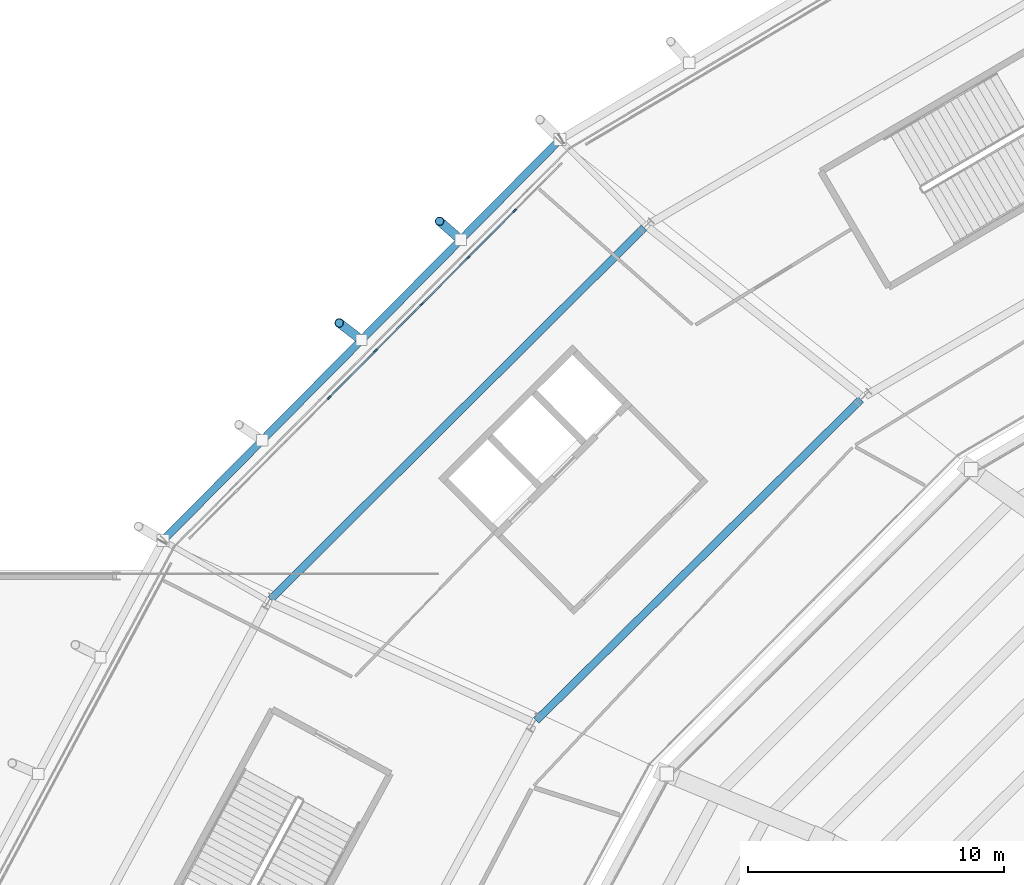
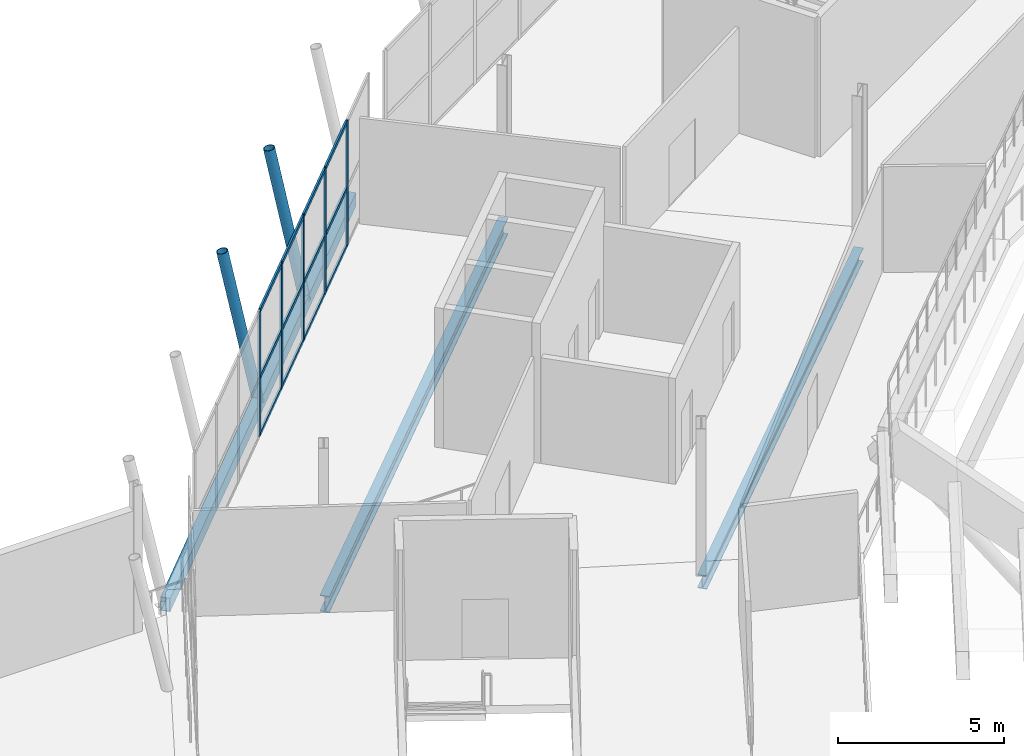
# One storey, part 33 of 126: 19 members, 3 beams, 1 element without a shape of its own.
"""IFC4 building model written with IfcOpenShell, lengths in metres."""

from ifc_helpers import new_model, si_unit, direction, frame, origin, origin_2d, place, context, subcontext, project, spatial, rectangle, hollow_rectangle, hollow_circle, i_section, extrude, material, material_profile, profile_set, type_object, element, aggregate, save


model = new_model("IFC4")

# Units and contexts
model_context = context("Model", 3, precision=1e-05, world=origin(), true_north=direction((0.0, 1.0)))
body_context = subcontext(model_context, "Body", "Model", "MODEL_VIEW")
ifc_project = project(units=[si_unit("LENGTHUNIT", "METRE"), si_unit("AREAUNIT", "SQUARE_METRE"), si_unit("VOLUMEUNIT", "CUBIC_METRE"), si_unit("PLANEANGLEUNIT", "RADIAN"), si_unit("MASSUNIT", "GRAM", prefix="KILO")], contexts=[model_context])

# Site, building, storey
site_placement = place(None, origin())
site = spatial("IfcSite", under=ifc_project, at=site_placement, CompositionType="ELEMENT")
building_placement = place(site_placement, origin())
building = spatial("IfcBuilding", under=site, at=building_placement, Name="Zlatoyarsky Gate Stadium", CompositionType="ELEMENT")
storey_placement = place(building_placement, frame((0.0, 0.0, 20.800048828125)))
storey = spatial("IfcBuildingStorey", under=building, at=storey_placement, Name="L04", CompositionType="ELEMENT", Elevation=20.800048828125)

# Curtain wall, members
ifc_material_1 = material(Name="Thermally broken anodised aluminium curtain wall", Category="aluminium")
curtain_wall_type = type_object("IfcCurtainWallType", Name="UNITISED MEDIA RING GLAZING L04", PredefinedType="USERDEFINED", material=ifc_material_1)
curtain_wall_placement = place(storey_placement, origin())
curtain_wall = element("IfcCurtainWall", 1, at=curtain_wall_placement, inside=storey, type_object=curtain_wall_type, Name="Curtain wall CW-L04-09", ObjectType="UNITISED GLAZING", PredefinedType="USERDEFINED")
ifc_material_2 = material(Name="Anodised aluminium 6063-T6", Category="aluminium")
ifc_material_profile_1 = material_profile(ifc_material_2, rectangle(XDim=0.06494140625, YDim=0.159912109375, at=origin_2d()), Name="ALU 65X160")
ifc_profile_set_1 = profile_set([ifc_material_profile_1], Name="Anodised aluminium 6063-T6")
member_type_1 = type_object("IfcMemberType", Name="ALUMINIUM MULLION 65X160", PredefinedType="MULLION", material=ifc_profile_set_1)
member_1_placement = place(storey_placement, frame((40.08984375, 130.792724609375, 0.0), z_axis=(0.0, 0.0, 1.0), x_axis=(0.709870536386, -0.704332181269, 0.0)))
member_1 = element("IfcMember", 2, at=member_1_placement, type_object=member_type_1, Name="CW-UG4 mullion 2", PredefinedType="MULLION", context=body_context, shape_type="SweptSolid", body=[
    extrude(rectangle(XDim=0.06494140625, YDim=0.159912109375, at=origin_2d()), origin(), (0.0, 0.0, 1.0), 4.619873046875),
])
member_2_placement = place(storey_placement, frame((38.27587890625, 128.964599609375, 0.0), z_axis=(0.0, 0.0, 1.0), x_axis=(0.709870536386, -0.704332181269, 0.0)))
member_2 = element("IfcMember", 3, at=member_2_placement, type_object=member_type_1, Name="CW-UG4 mullion 3", PredefinedType="MULLION", context=body_context, shape_type="SweptSolid", body=[
    extrude(rectangle(XDim=0.06494140625, YDim=0.159912109375, at=origin_2d()), origin(), (0.0, 0.0, 1.0), 4.619873046875),
])
member_3_placement = place(storey_placement, frame((36.462158203125, 127.136474609375, 0.0), z_axis=(0.0, 0.0, 1.0), x_axis=(0.709870536386, -0.704332181269, 0.0)))
member_3 = element("IfcMember", 4, at=member_3_placement, type_object=member_type_1, Name="CW-UG4 mullion 4", PredefinedType="MULLION", context=body_context, shape_type="SweptSolid", body=[
    extrude(rectangle(XDim=0.06494140625, YDim=0.159912109375, at=origin_2d()), origin(), (0.0, 0.0, 1.0), 4.619873046875),
])
member_4_placement = place(storey_placement, frame((34.6484375, 125.30859375, 0.0), z_axis=(0.0, 0.0, 1.0), x_axis=(0.709870536386, -0.704332181269, 0.0)))
member_4 = element("IfcMember", 5, at=member_4_placement, type_object=member_type_1, Name="CW-UG4 mullion 5", PredefinedType="MULLION", context=body_context, shape_type="SweptSolid", body=[
    extrude(rectangle(XDim=0.06494140625, YDim=0.159912109375, at=origin_2d()), origin(), (0.0, 0.0, 1.0), 4.619873046875),
])
member_5_placement = place(storey_placement, frame((32.83447265625, 123.48046875, 0.0), z_axis=(0.0, 0.0, 1.0), x_axis=(0.709870536386, -0.704332181269, 0.0)))
member_5 = element("IfcMember", 6, at=member_5_placement, type_object=member_type_1, Name="CW-UG4 mullion 6", PredefinedType="MULLION", context=body_context, shape_type="SweptSolid", body=[
    extrude(rectangle(XDim=0.06494140625, YDim=0.159912109375, at=origin_2d()), origin(), (0.0, 0.0, 1.0), 4.619873046875),
])
ifc_material_profile_2 = material_profile(ifc_material_2, rectangle(XDim=0.06494140625, YDim=0.139892578125, at=origin_2d()), Name="ALU 65X140")
ifc_profile_set_2 = profile_set([ifc_material_profile_2], Name="Anodised aluminium 6063-T6")
member_type_2 = type_object("IfcMemberType", Name="ALUMINIUM TRANSOM 65X140", PredefinedType="USERDEFINED", material=ifc_profile_set_2)
member_6_placement = place(storey_placement, frame((40.06689453125, 130.769775390625, 0.032470703125), z_axis=(-0.70432954627, -0.709873150818, 0.0), x_axis=(0.709873150818, -0.70432954627, 0.0)))
member_6 = element("IfcMember", 7, at=member_6_placement, type_object=member_type_2, Name="CW-UG4 transom 2.1", ObjectType="TRANSOM", PredefinedType="USERDEFINED", context=body_context, shape_type="SweptSolid", body=[
    extrude(rectangle(XDim=0.06494140625, YDim=0.139892578125, at=origin_2d()), origin(), (0.0, 0.0, 1.0), 2.51025390625),
])
member_7_placement = place(storey_placement, frame((40.06689453125, 130.769775390625, 2.14990234375), z_axis=(-0.70432954627, -0.709873150818, 0.0), x_axis=(0.709873150818, -0.70432954627, 0.0)))
member_7 = element("IfcMember", 8, at=member_7_placement, type_object=member_type_2, Name="CW-UG4 transom 2.2", ObjectType="TRANSOM", PredefinedType="USERDEFINED", context=body_context, shape_type="SweptSolid", body=[
    extrude(rectangle(XDim=0.06494140625, YDim=0.139892578125, at=origin_2d()), origin(), (0.0, 0.0, 1.0), 2.51025390625),
])
member_8_placement = place(storey_placement, frame((40.06689453125, 130.769775390625, 4.58740234375), z_axis=(-0.70432954627, -0.709873150818, 0.0), x_axis=(0.709873150818, -0.70432954627, 0.0)))
member_8 = element("IfcMember", 9, at=member_8_placement, type_object=member_type_2, Name="CW-UG4 transom 2.3", ObjectType="TRANSOM", PredefinedType="USERDEFINED", context=body_context, shape_type="SweptSolid", body=[
    extrude(rectangle(XDim=0.06494140625, YDim=0.139892578125, at=origin_2d()), origin(), (0.0, 0.0, 1.0), 2.51025390625),
])
member_9_placement = place(storey_placement, frame((38.253173828125, 128.941650390625, 0.032470703125), z_axis=(-0.70432954627, -0.709873150818, 0.0), x_axis=(0.709873150818, -0.70432954627, 0.0)))
member_9 = element("IfcMember", 10, at=member_9_placement, type_object=member_type_2, Name="CW-UG4 transom 3.1", ObjectType="TRANSOM", PredefinedType="USERDEFINED", context=body_context, shape_type="SweptSolid", body=[
    extrude(rectangle(XDim=0.06494140625, YDim=0.139892578125, at=origin_2d()), origin(), (0.0, 0.0, 1.0), 2.51025390625),
])
member_10_placement = place(storey_placement, frame((38.253173828125, 128.941650390625, 2.14990234375), z_axis=(-0.70432954627, -0.709873150818, 0.0), x_axis=(0.709873150818, -0.70432954627, 0.0)))
member_10 = element("IfcMember", 11, at=member_10_placement, type_object=member_type_2, Name="CW-UG4 transom 3.2", ObjectType="TRANSOM", PredefinedType="USERDEFINED", context=body_context, shape_type="SweptSolid", body=[
    extrude(rectangle(XDim=0.06494140625, YDim=0.139892578125, at=origin_2d()), origin(), (0.0, 0.0, 1.0), 2.51025390625),
])
member_11_placement = place(storey_placement, frame((38.253173828125, 128.941650390625, 4.58740234375), z_axis=(-0.70432954627, -0.709873150818, 0.0), x_axis=(0.709873150818, -0.70432954627, 0.0)))
member_11 = element("IfcMember", 12, at=member_11_placement, type_object=member_type_2, Name="CW-UG4 transom 3.3", ObjectType="TRANSOM", PredefinedType="USERDEFINED", context=body_context, shape_type="SweptSolid", body=[
    extrude(rectangle(XDim=0.06494140625, YDim=0.139892578125, at=origin_2d()), origin(), (0.0, 0.0, 1.0), 2.51025390625),
])
member_12_placement = place(storey_placement, frame((36.439208984375, 127.113525390625, 0.032470703125), z_axis=(-0.70432954627, -0.709873150818, 0.0), x_axis=(0.709873150818, -0.70432954627, 0.0)))
member_12 = element("IfcMember", 13, at=member_12_placement, type_object=member_type_2, Name="CW-UG4 transom 4.1", ObjectType="TRANSOM", PredefinedType="USERDEFINED", context=body_context, shape_type="SweptSolid", body=[
    extrude(rectangle(XDim=0.06494140625, YDim=0.139892578125, at=origin_2d()), origin(), (0.0, 0.0, 1.0), 2.51025390625),
])
member_13_placement = place(storey_placement, frame((36.439208984375, 127.113525390625, 2.14990234375), z_axis=(-0.70432954627, -0.709873150818, 0.0), x_axis=(0.709873150818, -0.70432954627, 0.0)))
member_13 = element("IfcMember", 14, at=member_13_placement, type_object=member_type_2, Name="CW-UG4 transom 4.2", ObjectType="TRANSOM", PredefinedType="USERDEFINED", context=body_context, shape_type="SweptSolid", body=[
    extrude(rectangle(XDim=0.06494140625, YDim=0.139892578125, at=origin_2d()), origin(), (0.0, 0.0, 1.0), 2.51025390625),
])
member_14_placement = place(storey_placement, frame((36.439208984375, 127.113525390625, 4.58740234375), z_axis=(-0.70432954627, -0.709873150818, 0.0), x_axis=(0.709873150818, -0.70432954627, 0.0)))
member_14 = element("IfcMember", 15, at=member_14_placement, type_object=member_type_2, Name="CW-UG4 transom 4.3", ObjectType="TRANSOM", PredefinedType="USERDEFINED", context=body_context, shape_type="SweptSolid", body=[
    extrude(rectangle(XDim=0.06494140625, YDim=0.139892578125, at=origin_2d()), origin(), (0.0, 0.0, 1.0), 2.51025390625),
])
member_15_placement = place(storey_placement, frame((34.62548828125, 125.285400390625, 0.032470703125), z_axis=(-0.70432954627, -0.709873150818, 0.0), x_axis=(0.709873150818, -0.70432954627, 0.0)))
member_15 = element("IfcMember", 16, at=member_15_placement, type_object=member_type_2, Name="CW-UG4 transom 5.1", ObjectType="TRANSOM", PredefinedType="USERDEFINED", context=body_context, shape_type="SweptSolid", body=[
    extrude(rectangle(XDim=0.06494140625, YDim=0.139892578125, at=origin_2d()), origin(), (0.0, 0.0, 1.0), 2.51025390625),
])
member_16_placement = place(storey_placement, frame((34.62548828125, 125.285400390625, 2.14990234375), z_axis=(-0.70432954627, -0.709873150818, 0.0), x_axis=(0.709873150818, -0.70432954627, 0.0)))
member_16 = element("IfcMember", 17, at=member_16_placement, type_object=member_type_2, Name="CW-UG4 transom 5.2", ObjectType="TRANSOM", PredefinedType="USERDEFINED", context=body_context, shape_type="SweptSolid", body=[
    extrude(rectangle(XDim=0.06494140625, YDim=0.139892578125, at=origin_2d()), origin(), (0.0, 0.0, 1.0), 2.51025390625),
])
member_17_placement = place(storey_placement, frame((34.62548828125, 125.285400390625, 4.58740234375), z_axis=(-0.70432954627, -0.709873150818, 0.0), x_axis=(0.709873150818, -0.70432954627, 0.0)))
member_17 = element("IfcMember", 18, at=member_17_placement, type_object=member_type_2, Name="CW-UG4 transom 5.3", ObjectType="TRANSOM", PredefinedType="USERDEFINED", context=body_context, shape_type="SweptSolid", body=[
    extrude(rectangle(XDim=0.06494140625, YDim=0.139892578125, at=origin_2d()), origin(), (0.0, 0.0, 1.0), 2.51025390625),
])
aggregate(curtain_wall, [member_1, member_2, member_3, member_4, member_5, member_6, member_7, member_8, member_9, member_10, member_11, member_12, member_13, member_14, member_15, member_16, member_17])

# Members
ifc_material_3 = material(Name="Steel S355", Category="steel")
ifc_material_profile_3 = material_profile(ifc_material_3, hollow_circle(Radius=0.177734375, WallThickness=0.02001953125, at=origin_2d()), Name="CHS 355.6X20")
ifc_profile_set_3 = profile_set([ifc_material_profile_3], Name="Steel S355")
member_type_3 = type_object("IfcMemberType", Name="STEEL LEANING RIB RING STRUT CHS 355.6X20", PredefinedType="STRUT", material=ifc_profile_set_3)
member_18_placement = place(storey_placement, frame((37.982177734375, 129.654052734375, -0.550048828125), z_axis=(-0.149158661821, 0.130904210433, 0.980110086314), x_axis=(-0.659617999854, -0.751601020667, 0.0)))
element("IfcMember", 19, at=member_18_placement, inside=storey, type_object=member_type_3, Name="Outward-leaning bowl louvre fin rib L04 09-1", PredefinedType="STRUT", context=body_context, shape_type="SweptSolid", body=[
    extrude(hollow_circle(Radius=0.177734375, WallThickness=0.02001953125, at=origin_2d()), origin(), (0.0, 0.0, 1.0), 5.55029296875),
])
member_19_placement = place(storey_placement, frame((34.097900390625, 125.73095703125, -0.550048828125), z_axis=(-0.157133721852, 0.120533706012, 0.980194174219), x_axis=(-0.608636710057, -0.793449024936, 0.0)))
element("IfcMember", 20, at=member_19_placement, inside=storey, type_object=member_type_3, Name="Outward-leaning bowl louvre fin rib L04 09-2", PredefinedType="STRUT", context=body_context, shape_type="SweptSolid", body=[
    extrude(hollow_circle(Radius=0.177734375, WallThickness=0.02001953125, at=origin_2d()), origin(), (0.0, 0.0, 1.0), 5.5498046875),
])

# Beams
ifc_material_profile_4 = material_profile(ifc_material_3, hollow_rectangle(XDim=0.300048828125, YDim=0.5, WallThickness=0.02001953125, at=origin_2d()), Name="RHS 500X300X20")
ifc_profile_set_4 = profile_set([ifc_material_profile_4], Name="Steel S355")
beam_type_1 = type_object("IfcBeamType", Name="STEEL LOUVRE CARRIER SPANDREL RHS 500X300X20", PredefinedType="SPANDREL", material=ifc_profile_set_4)
beam_1_placement = place(storey_placement, frame((41.852294921875, 133.56298828125, -0.550048828125), z_axis=(-0.70358710683, -0.710609022672, 0.0), x_axis=(0.710609022672, -0.70358710683, 0.0)))
element("IfcBeam", 21, at=beam_1_placement, inside=storey, type_object=beam_type_1, Name="Beam SP-RHS500 BM-L04-SPD-09", PredefinedType="SPANDREL", context=body_context, shape_type="SweptSolid", body=[
    extrude(hollow_rectangle(XDim=0.300048828125, YDim=0.5, WallThickness=0.02001953125, at=origin_2d()), origin(), (0.0, 0.0, 1.0), 22.043212890625),
])
ifc_material_profile_5 = material_profile(ifc_material_3, i_section(OverallWidth=0.300048828125, OverallDepth=0.5, WebThickness=0.014404296875, FlangeThickness=0.028076171875, FilletRadius=0.027099609375, at=origin_2d()), Name="HEB 500")
ifc_profile_set_5 = profile_set([ifc_material_profile_5], Name="Steel S355")
beam_type_2 = type_object("IfcBeamType", Name="STEEL PRIMARY GIRDER HEB 500", PredefinedType="BEAM", material=ifc_profile_set_5)
beam_2_placement = place(storey_placement, frame((53.63916015625, 123.402587890625, -0.550048828125), z_axis=(-0.710840510009, -0.703353232259, 0.0), x_axis=(0.703353232259, -0.710840510009, 0.0)))
element("IfcBeam", 22, at=beam_2_placement, inside=storey, type_object=beam_type_2, Name="Beam G-HEB500 BM-L04-CRB-09", PredefinedType="BEAM", context=body_context, shape_type="SweptSolid", body=[
    extrude(i_section(OverallWidth=0.300048828125, OverallDepth=0.5, WebThickness=0.014404296875, FlangeThickness=0.028076171875, FilletRadius=0.027099609375, at=origin_2d()), origin(), (0.0, 0.0, 1.0), 17.868896484375),
])
ifc_material_profile_6 = material_profile(ifc_material_3, i_section(OverallWidth=0.300048828125, OverallDepth=0.60009765625, WebThickness=0.015380859375, FlangeThickness=0.030029296875, FilletRadius=0.027099609375, at=origin_2d()), Name="HEB 600")
ifc_profile_set_6 = profile_set([ifc_material_profile_6], Name="Steel S355")
beam_type_3 = type_object("IfcBeamType", Name="STEEL PRIMARY GIRDER HEB 600", PredefinedType="BEAM", material=ifc_profile_set_6)
beam_3_placement = place(storey_placement, frame((45.154052734375, 130.1201171875, -0.60009765625), z_axis=(-0.708899260134, -0.705309746835, 0.0), x_axis=(0.705309746835, -0.708899260134, 0.0)))
element("IfcBeam", 23, at=beam_3_placement, inside=storey, type_object=beam_type_3, Name="Beam G-HEB600 BM-L04-CRC-09", PredefinedType="BEAM", context=body_context, shape_type="SweptSolid", body=[
    extrude(i_section(OverallWidth=0.300048828125, OverallDepth=0.60009765625, WebThickness=0.015380859375, FlangeThickness=0.030029296875, FilletRadius=0.027099609375, at=origin_2d()), origin(), (0.0, 0.0, 1.0), 20.608642578125),
])

save(model, "model.ifc")
